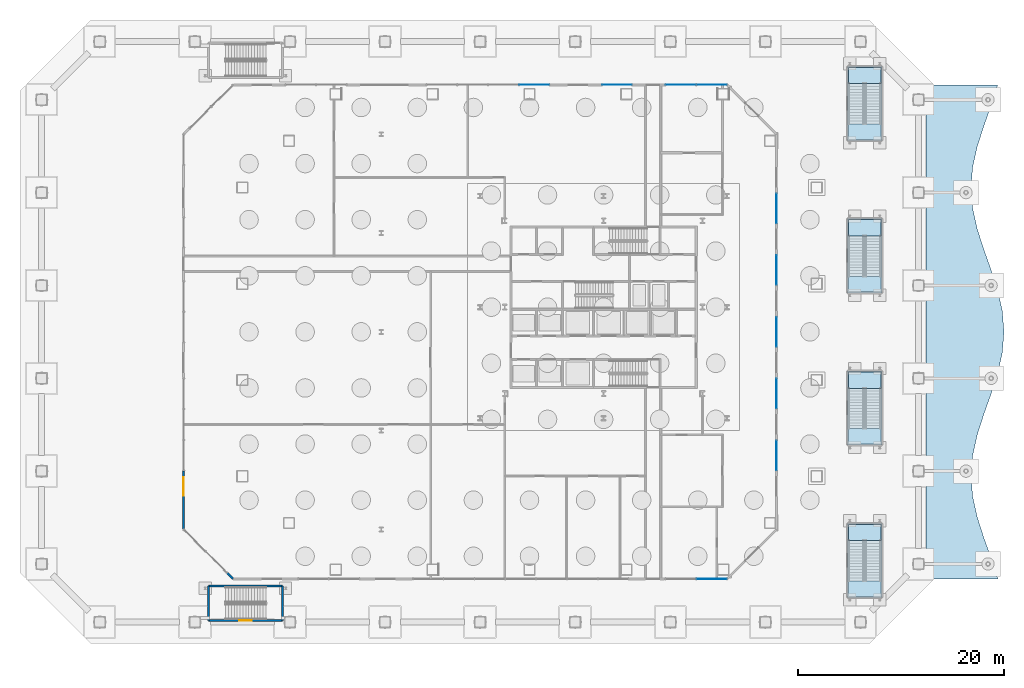
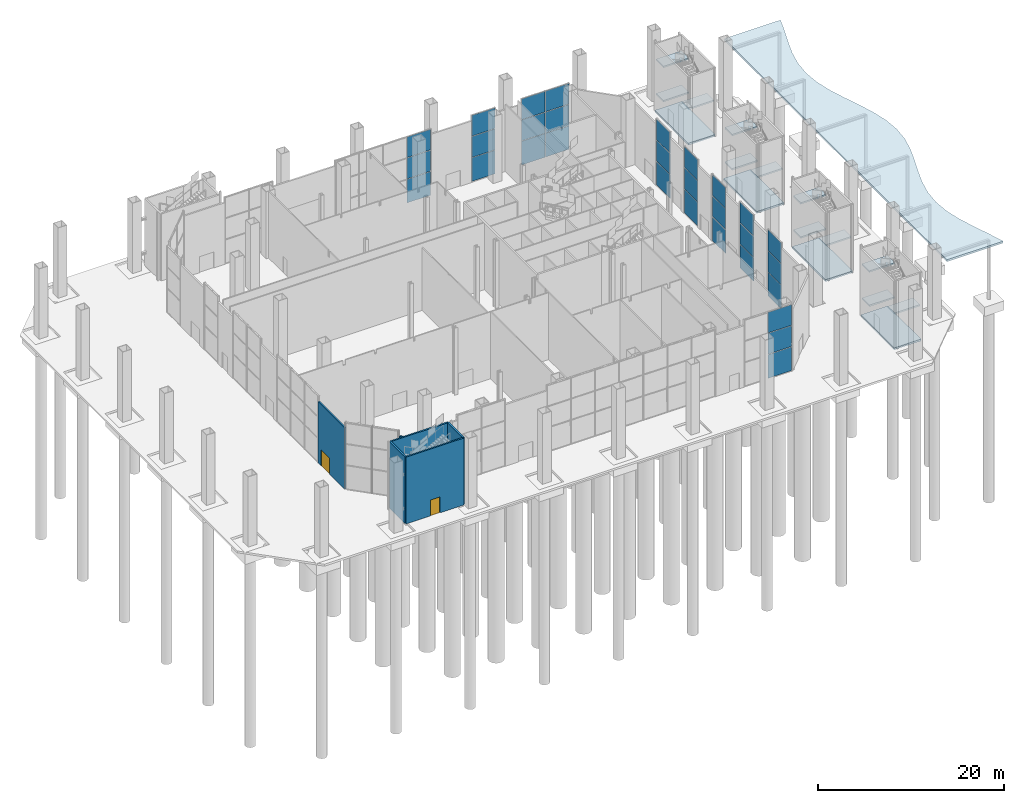
# One storey, part 22 of 38: 30 plates, 17 slabs, 6 walls, 2 doors, 2 openings, 13 elements without a shape of their own.
"""IFC4 building model written with IfcOpenShell, lengths in metres."""

import ifcopenshell
import ifcopenshell.guid

model = None  # the IFC model being written
_history = None  # IfcOwnerHistory: only IFC2X3 demands one
_inside = {}  # id of a spatial element -> (the spatial element, [elements in it])
_under = {}  # id of a project, library or spatial element -> (it, [spatial elements below it])
_declared = {}  # id of a project -> (the project, [libraries it declares])
_typed = {}  # id of a type object -> (the type object, [elements of that type])
_made_of = {}  # id of a material, layer set ... -> (it, [elements and type objects made of it])


def new_model(schema):
    """Start an empty IFC model of exactly this schema.

    Asked for "IFC4X3", IfcOpenShell would pick the latest addendum, in which some entities
    have other attributes; the version numbers below select the first issue.
    IFC2X3 requires an IfcOwnerHistory on every rooted entity: one is made here for all.
    """
    global model, _history
    if schema == "IFC4X3":
        model = ifcopenshell.file(schema_version=(4, 3, 0, 0))
    else:
        model = ifcopenshell.file(schema=schema)
    _inside.clear()
    _under.clear()
    _declared.clear()
    _typed.clear()
    _made_of.clear()
    _history = None
    if model.schema == "IFC2X3":
        org = make("IfcOrganization", Name="unknown")
        user = make(
            "IfcPersonAndOrganization",
            ThePerson=make("IfcPerson", FamilyName="unknown"),
            TheOrganization=org,
        )
        app = make(
            "IfcApplication",
            ApplicationDeveloper=org,
            Version="unknown",
            ApplicationFullName="unknown",
            ApplicationIdentifier="unknown",
        )
        _history = make(
            "IfcOwnerHistory",
            OwningUser=user,
            OwningApplication=app,
            ChangeAction="ADDED",
            CreationDate=0,
        )
    return model


def make(cls, **values):
    """One entity of the class cls with the attributes given. An attribute that is None is left unset."""
    return model.create_entity(
        cls, **{name: value for name, value in values.items() if value is not None}
    )


def rooted(cls, **values):
    """An entity with a GlobalId (a new one), such as an element, a storey or a relation."""
    return make(cls, GlobalId=ifcopenshell.guid.new(), OwnerHistory=_history, **values)


def si_unit(unit_type, name, prefix=None):
    """IfcSIUnit, for example si_unit("LENGTHUNIT", "METRE", prefix="MILLI")."""
    return make("IfcSIUnit", UnitType=unit_type, Prefix=prefix, Name=name)


def assignment(units):
    """IfcUnitAssignment: the units of a project."""
    return None if units is None else make("IfcUnitAssignment", Units=units)


def point(xyz):
    """IfcCartesianPoint."""
    return None if xyz is None else make("IfcCartesianPoint", Coordinates=xyz)


def direction(xyz):
    """IfcDirection."""
    return None if xyz is None else make("IfcDirection", DirectionRatios=xyz)


def frame(location, z_axis=None, x_axis=None):
    """IfcAxis2Placement3D, a coordinate frame: its origin and axes. An axis left out is left unset."""
    return make(
        "IfcAxis2Placement3D",
        Location=point(location),
        Axis=direction(z_axis),
        RefDirection=direction(x_axis),
    )


def frame_2d(location, x_axis=None):
    """IfcAxis2Placement2D, a coordinate frame in the plane: its origin and x axis."""
    return make(
        "IfcAxis2Placement2D", Location=point(location), RefDirection=direction(x_axis)
    )


def origin():
    """The frame at (0, 0, 0) with its axes left unset."""
    return frame((0.0, 0.0, 0.0))


def origin_2d():
    """The frame at (0, 0) in the plane with its x axis left unset."""
    return frame_2d((0.0, 0.0))


def place(relative_to, where):
    """IfcLocalPlacement: puts the frame where relative to a parent placement (None: the world)."""
    return make(
        "IfcLocalPlacement", PlacementRelTo=relative_to, RelativePlacement=where
    )


def context(
    kind, dimensions, precision=None, world=None, true_north=None, identifier=None
):
    """IfcGeometricRepresentationContext, for example the 3D "Model" context."""
    return make(
        "IfcGeometricRepresentationContext",
        ContextIdentifier=identifier,
        ContextType=kind,
        CoordinateSpaceDimension=dimensions,
        Precision=precision,
        WorldCoordinateSystem=world,
        TrueNorth=true_north,
    )


def subcontext(parent, identifier, kind, view, scale=None):
    """IfcGeometricRepresentationSubContext, for example "Body" below "Model"."""
    return make(
        "IfcGeometricRepresentationSubContext",
        ContextIdentifier=identifier,
        ContextType=kind,
        ParentContext=parent,
        TargetScale=scale,
        TargetView=view,
    )


def project(units=None, contexts=None):
    """IfcProject with its units and contexts."""
    return rooted(
        "IfcProject",
        Name="project",
        RepresentationContexts=contexts,
        UnitsInContext=assignment(units),
    )


def spatial(cls, under=None, at=None, **own):
    """A site, building, storey or space (cls), placed at a placement, below another one or the project."""
    s = rooted(cls, ObjectPlacement=at, **own)
    if under is not None:
        _under.setdefault(under.id(), (under, []))[1].append(s)
    return s


def polyline(points):
    """IfcPolyline through the points."""
    return make("IfcPolyline", Points=[point(p) for p in points])


def profile(cls, at=None, kind="AREA", **sizes):
    """A parametric profile (cls). Its sizes go by their IFC names, for example OverallWidth=200.0."""
    return make(cls, ProfileType=kind, Position=at, **sizes)


def rectangle(**sizes):
    """IfcRectangleProfileDef."""
    return profile("IfcRectangleProfileDef", **sizes)


def outline(outer, holes=None, kind="AREA"):
    """IfcArbitraryClosedProfileDef: a profile drawn as a closed curve; with holes, ...WithVoids."""
    if holes is None:
        return make("IfcArbitraryClosedProfileDef", ProfileType=kind, OuterCurve=outer)
    return make(
        "IfcArbitraryProfileDefWithVoids",
        ProfileType=kind,
        OuterCurve=outer,
        InnerCurves=holes,
    )


def extrude(swept, where, along, depth):
    """IfcExtrudedAreaSolid: the profile swept, set in the frame where, extruded along a direction by depth."""
    return make(
        "IfcExtrudedAreaSolid",
        SweptArea=swept,
        Position=where,
        ExtrudedDirection=direction(along),
        Depth=depth,
    )


def shape(context_of_items, identifier, shape_type, items):
    """IfcShapeRepresentation: the items that make up one representation, for example the "Body"."""
    return make(
        "IfcShapeRepresentation",
        ContextOfItems=context_of_items,
        RepresentationIdentifier=identifier,
        RepresentationType=shape_type,
        Items=items,
    )


def material(Name=None, Category=None):
    """IfcMaterial."""
    return make("IfcMaterial", Name=Name, Category=Category)


def layer(
    of_material, thickness, ventilated=None, Name=None, Category=None, Priority=None
):
    """IfcMaterialLayer: one layer of a wall or slab, of a material (None: an air gap)."""
    return make(
        "IfcMaterialLayer",
        Material=of_material,
        LayerThickness=thickness,
        IsVentilated=ventilated,
        Name=Name,
        Category=Category,
        Priority=Priority,
    )


def layer_set(layers, Name=None):
    """IfcMaterialLayerSet."""
    return make("IfcMaterialLayerSet", MaterialLayers=layers, LayerSetName=Name)


def made_of(thing, what):
    """Note that an element or type object is made of a material, layer set ...; save() writes the relation."""
    if what is not None:
        _made_of.setdefault(what.id(), (what, []))[1].append(thing)
    return thing


def type_object(cls, material=None, **own):
    """A type object (cls), such as IfcWallType, which elements share."""
    return made_of(rooted(cls, **own), material)


def element(
    cls,
    number,
    at=None,
    inside=None,
    cuts=None,
    type_object=None,
    material=None,
    context=None,
    identifier="Body",
    shape_type=None,
    held_by="IfcProductDefinitionShape",
    body=None,
    shapes=None,
    **own,
):
    """One element of the class cls, such as IfcWall. Its Tag is "e" and its number.

    at: its placement. inside: the storey or other place that contains it. cuts: it is an
    opening in that element (IfcRelVoidsElement). A single representation is given by context,
    identifier, shape_type and body (its items); several are given by shapes. held_by: the class
    of the entity that holds the representations. save() writes the other relations.
    """
    e = rooted(cls, Tag="e%d" % number, ObjectPlacement=at, **own)
    if body is not None:
        shapes = [shape(context, identifier, shape_type, body)]
    if shapes is not None:
        e.Representation = make(held_by, Representations=shapes)
    if inside is not None:
        _inside.setdefault(inside.id(), (inside, []))[1].append(e)
    if cuts is not None:
        rooted(
            "IfcRelVoidsElement", RelatingBuildingElement=cuts, RelatedOpeningElement=e
        )
    if type_object is not None:
        _typed.setdefault(type_object.id(), (type_object, []))[1].append(e)
    return made_of(e, material)


def fill(opening, filler):
    """IfcRelFillsElement: the door or window that sits in an opening."""
    return rooted(
        "IfcRelFillsElement",
        RelatingOpeningElement=opening,
        RelatedBuildingElement=filler,
    )


def aggregate(whole, parts):
    """IfcRelAggregates: a whole, such as a stair, and the parts it consists of."""
    return rooted("IfcRelAggregates", RelatingObject=whole, RelatedObjects=parts)


def save(model, path):
    """Write the relations noted so far, then the file.

    IfcRelAggregates (storeys below a building ...), IfcRelContainedInSpatialStructure (elements
    in a storey), IfcRelDefinesByType, IfcRelAssociatesMaterial and IfcRelDeclares: one each for
    every whole, place, type object, material and project.
    """
    for whole, parts in _under.values():
        aggregate(whole, parts)
    for where, things in _inside.values():
        rooted(
            "IfcRelContainedInSpatialStructure",
            RelatedElements=things,
            RelatingStructure=where,
        )
    for kind, things in _typed.values():
        rooted("IfcRelDefinesByType", RelatedObjects=things, RelatingType=kind)
    for what, things in _made_of.values():
        rooted("IfcRelAssociatesMaterial", RelatedObjects=things, RelatingMaterial=what)
    for by, libraries in _declared.values():
        rooted("IfcRelDeclares", RelatingContext=by, RelatedDefinitions=libraries)
    model.write(path)


model = new_model("IFC4")

# Units and contexts
model_context = context("Model", 3, precision=1e-05, world=origin(), true_north=direction((0.0, 1.0)))
body_context = subcontext(model_context, "Body", "Model", "MODEL_VIEW")
ifc_project = project(units=[si_unit("LENGTHUNIT", "METRE"), si_unit("AREAUNIT", "SQUARE_METRE"), si_unit("VOLUMEUNIT", "CUBIC_METRE"), si_unit("PLANEANGLEUNIT", "RADIAN"), si_unit("MASSUNIT", "GRAM", prefix="KILO")], contexts=[model_context])

# Site, building, storey
site_placement = place(None, origin())
site = spatial("IfcSite", under=ifc_project, at=site_placement, CompositionType="ELEMENT")
building_placement = place(site_placement, origin())
building = spatial("IfcBuilding", under=site, at=building_placement, Name="Cairn Pilgrim Tower", CompositionType="ELEMENT")
storey_placement = place(building_placement, origin())
storey = spatial("IfcBuildingStorey", under=building, at=storey_placement, Name="L00", CompositionType="ELEMENT", Elevation=0.0)

# Slab
ifc_material_1 = material(Name="Concrete C35/45", Category="concrete")
ifc_layer_1 = layer(ifc_material_1, 0.25)
ifc_layer_set_1 = layer_set([ifc_layer_1], Name="MARQUISE SLAB 250")
slab_type_1 = type_object("IfcSlabType", Name="MARQUISE SLAB 250", PredefinedType="ROOF", material=ifc_layer_set_1)
slab_1_placement = place(storey_placement, frame((0.0, 0.0, 7.60009765625)))
element("IfcSlab", 1, at=slab_1_placement, inside=storey, type_object=slab_type_1, Name="MARQUISE CANOPY", PredefinedType="ROOF", context=body_context, shape_type="SweptSolid", body=[
    extrude(outline(polyline([(38.5, -24.0), (45.498046875, -24.0), (44.85595703125, -22.0), (44.14404296875, -20.0), (43.501953125, -18.0), (43.05810546875, -16.0), (42.89990234375, -14.0), (43.05810546875, -12.0), (43.501953125, -10.0), (44.14404296875, -8.0), (44.85595703125, -6.0), (45.498046875, -4.0), (45.94189453125, -2.0), (46.10009765625, 0.0), (45.94189453125, 2.0), (45.498046875, 4.0), (44.85595703125, 6.0), (44.14404296875, 8.0), (43.501953125, 10.0), (43.05810546875, 12.0), (42.89990234375, 14.0), (43.05810546875, 16.0), (43.501953125, 18.0), (44.14404296875, 20.0), (44.85595703125, 22.0), (45.498046875, 24.0), (38.5, 24.0), (38.5, -24.0)])), origin(), (0.0, 0.0, 1.0), 0.25),
])

# Curtain wall, plates
ifc_material_2 = material(Name="Bronze anodised aluminium with Tinted laminated low-E glass", Category="aluminium")
curtain_wall_type = type_object("IfcCurtainWallType", Name="PAVILION CW", PredefinedType="NOTDEFINED", material=ifc_material_2)
curtain_wall_1_placement = place(storey_placement, origin())
curtain_wall_1 = element("IfcCurtainWall", 2, at=curtain_wall_1_placement, inside=storey, type_object=curtain_wall_type, Name="PAVILION CW 0.6", PredefinedType="NOTDEFINED")
ifc_material_3 = material(Name="Tinted laminated low-E glass", Category="glass")
ifc_layer_2 = layer(ifc_material_3, 0.028076171875)
ifc_layer_set_2 = layer_set([ifc_layer_2], Name="PAVILION GLASS PANEL 2940x2680")
plate_type_1 = type_object("IfcPlateType", Name="PAVILION GLASS PANEL 2940x2680", PredefinedType="CURTAIN_PANEL", material=ifc_layer_set_2)
plate_1_placement = place(storey_placement, frame((17.68505859375, -24.0, 3.22998046875), z_axis=(0.0, 0.0, 1.0), x_axis=(1.0, 0.0, 0.0)))
plate_1 = element("IfcPlate", 3, at=plate_1_placement, type_object=plate_type_1, Name="PCW-06 panel 2.2", PredefinedType="CURTAIN_PANEL", context=body_context, shape_type="SweptSolid", body=[
    extrude(rectangle(XDim=2.909912109375, YDim=0.028076171875, at=origin_2d()), origin(), (0.0, 0.0, 1.0), 2.739990234375),
])
plate_2_placement = place(storey_placement, frame((17.68505859375, -24.0, 6.030029296875), z_axis=(0.0, 0.0, 1.0), x_axis=(1.0, 0.0, 0.0)))
plate_2 = element("IfcPlate", 4, at=plate_2_placement, type_object=plate_type_1, Name="PCW-06 panel 2.3", PredefinedType="CURTAIN_PANEL", context=body_context, shape_type="SweptSolid", body=[
    extrude(rectangle(XDim=2.909912109375, YDim=0.028076171875, at=origin_2d()), origin(), (0.0, 0.0, 1.0), 2.7099609375),
])

curtain_wall_2_placement = place(storey_placement, origin())
curtain_wall_2 = element("IfcCurtainWall", 5, at=curtain_wall_2_placement, inside=storey, type_object=curtain_wall_type, Name="PAVILION CW 2.2", PredefinedType="NOTDEFINED")
plate_3_placement = place(storey_placement, frame((24.0, -12.0, 3.22998046875), z_axis=(0.0, 0.0, 1.0), x_axis=(0.0, 1.0, 0.0)))
plate_3 = element("IfcPlate", 6, at=plate_3_placement, type_object=plate_type_1, Name="PCW-22 panel 1.2", PredefinedType="CURTAIN_PANEL", context=body_context, shape_type="SweptSolid", body=[
    extrude(rectangle(XDim=2.8798828125, YDim=0.028076171875, at=origin_2d()), origin(), (0.0, 0.0, 1.0), 2.739990234375),
])
plate_4_placement = place(storey_placement, frame((24.0, -12.0, 6.030029296875), z_axis=(0.0, 0.0, 1.0), x_axis=(0.0, 1.0, 0.0)))
plate_4 = element("IfcPlate", 7, at=plate_4_placement, type_object=plate_type_1, Name="PCW-22 panel 1.3", PredefinedType="CURTAIN_PANEL", context=body_context, shape_type="SweptSolid", body=[
    extrude(rectangle(XDim=2.8798828125, YDim=0.028076171875, at=origin_2d()), origin(), (0.0, 0.0, 1.0), 2.7099609375),
])

curtain_wall_3_placement = place(storey_placement, origin())
curtain_wall_3 = element("IfcCurtainWall", 8, at=curtain_wall_3_placement, inside=storey, type_object=curtain_wall_type, Name="PAVILION CW 2.4", PredefinedType="NOTDEFINED")
plate_5_placement = place(storey_placement, frame((24.0, -6.0, 3.22998046875), z_axis=(0.0, 0.0, 1.0), x_axis=(0.0, 1.0, 0.0)))
plate_5 = element("IfcPlate", 9, at=plate_5_placement, type_object=plate_type_1, Name="PCW-24 panel 1.2", PredefinedType="CURTAIN_PANEL", context=body_context, shape_type="SweptSolid", body=[
    extrude(rectangle(XDim=2.8798828125, YDim=0.028076171875, at=origin_2d()), origin(), (0.0, 0.0, 1.0), 2.739990234375),
])
plate_6_placement = place(storey_placement, frame((24.0, -6.0, 6.030029296875), z_axis=(0.0, 0.0, 1.0), x_axis=(0.0, 1.0, 0.0)))
plate_6 = element("IfcPlate", 10, at=plate_6_placement, type_object=plate_type_1, Name="PCW-24 panel 1.3", PredefinedType="CURTAIN_PANEL", context=body_context, shape_type="SweptSolid", body=[
    extrude(rectangle(XDim=2.8798828125, YDim=0.028076171875, at=origin_2d()), origin(), (0.0, 0.0, 1.0), 2.7099609375),
])

curtain_wall_4_placement = place(storey_placement, origin())
curtain_wall_4 = element("IfcCurtainWall", 11, at=curtain_wall_4_placement, inside=storey, type_object=curtain_wall_type, Name="PAVILION CW 2.6", PredefinedType="NOTDEFINED")
plate_7_placement = place(storey_placement, frame((24.0, 0.0, 3.22998046875), z_axis=(0.0, 0.0, 1.0), x_axis=(0.0, 1.0, 0.0)))
plate_7 = element("IfcPlate", 12, at=plate_7_placement, type_object=plate_type_1, Name="PCW-26 panel 1.2", PredefinedType="CURTAIN_PANEL", context=body_context, shape_type="SweptSolid", body=[
    extrude(rectangle(XDim=2.8798828125, YDim=0.028076171875, at=origin_2d()), origin(), (0.0, 0.0, 1.0), 2.739990234375),
])
plate_8_placement = place(storey_placement, frame((24.0, 0.0, 6.030029296875), z_axis=(0.0, 0.0, 1.0), x_axis=(0.0, 1.0, 0.0)))
plate_8 = element("IfcPlate", 13, at=plate_8_placement, type_object=plate_type_1, Name="PCW-26 panel 1.3", PredefinedType="CURTAIN_PANEL", context=body_context, shape_type="SweptSolid", body=[
    extrude(rectangle(XDim=2.8798828125, YDim=0.028076171875, at=origin_2d()), origin(), (0.0, 0.0, 1.0), 2.7099609375),
])

curtain_wall_5_placement = place(storey_placement, origin())
curtain_wall_5 = element("IfcCurtainWall", 14, at=curtain_wall_5_placement, inside=storey, type_object=curtain_wall_type, Name="PAVILION CW 2.8", PredefinedType="NOTDEFINED")
plate_9_placement = place(storey_placement, frame((24.0, 6.0, 3.22998046875), z_axis=(0.0, 0.0, 1.0), x_axis=(0.0, 1.0, 0.0)))
plate_9 = element("IfcPlate", 15, at=plate_9_placement, type_object=plate_type_1, Name="PCW-28 panel 1.2", PredefinedType="CURTAIN_PANEL", context=body_context, shape_type="SweptSolid", body=[
    extrude(rectangle(XDim=2.8798828125, YDim=0.028076171875, at=origin_2d()), origin(), (0.0, 0.0, 1.0), 2.739990234375),
])
plate_10_placement = place(storey_placement, frame((24.0, 6.0, 6.030029296875), z_axis=(0.0, 0.0, 1.0), x_axis=(0.0, 1.0, 0.0)))
plate_10 = element("IfcPlate", 16, at=plate_10_placement, type_object=plate_type_1, Name="PCW-28 panel 1.3", PredefinedType="CURTAIN_PANEL", context=body_context, shape_type="SweptSolid", body=[
    extrude(rectangle(XDim=2.8798828125, YDim=0.028076171875, at=origin_2d()), origin(), (0.0, 0.0, 1.0), 2.7099609375),
])

curtain_wall_6_placement = place(storey_placement, origin())
curtain_wall_6 = element("IfcCurtainWall", 17, at=curtain_wall_6_placement, inside=storey, type_object=curtain_wall_type, Name="PAVILION CW 2.10", PredefinedType="NOTDEFINED")
plate_11_placement = place(storey_placement, frame((24.0, 12.0, 3.22998046875), z_axis=(0.0, 0.0, 1.0), x_axis=(0.0, 1.0, 0.0)))
plate_11 = element("IfcPlate", 18, at=plate_11_placement, type_object=plate_type_1, Name="PCW-210 panel 1.2", PredefinedType="CURTAIN_PANEL", context=body_context, shape_type="SweptSolid", body=[
    extrude(rectangle(XDim=2.8798828125, YDim=0.028076171875, at=origin_2d()), origin(), (0.0, 0.0, 1.0), 2.739990234375),
])
plate_12_placement = place(storey_placement, frame((24.0, 12.0, 6.030029296875), z_axis=(0.0, 0.0, 1.0), x_axis=(0.0, 1.0, 0.0)))
plate_12 = element("IfcPlate", 19, at=plate_12_placement, type_object=plate_type_1, Name="PCW-210 panel 1.3", PredefinedType="CURTAIN_PANEL", context=body_context, shape_type="SweptSolid", body=[
    extrude(rectangle(XDim=2.8798828125, YDim=0.028076171875, at=origin_2d()), origin(), (0.0, 0.0, 1.0), 2.7099609375),
])

curtain_wall_7_placement = place(storey_placement, origin())
curtain_wall_7 = element("IfcCurtainWall", 20, at=curtain_wall_7_placement, inside=storey, type_object=curtain_wall_type, Name="PAVILION CW 4.1", PredefinedType="NOTDEFINED")
plate_13_placement = place(storey_placement, frame((17.68505859375, 24.0, 3.22998046875), z_axis=(0.0, 0.0, 1.0), x_axis=(-1.0, 0.0, 0.0)))
plate_13 = element("IfcPlate", 21, at=plate_13_placement, type_object=plate_type_1, Name="PCW-41 panel 1.2", PredefinedType="CURTAIN_PANEL", context=body_context, shape_type="SweptSolid", body=[
    extrude(rectangle(XDim=2.909912109375, YDim=0.028076171875, at=origin_2d()), origin(), (0.0, 0.0, 1.0), 2.739990234375),
])
plate_14_placement = place(storey_placement, frame((17.68505859375, 24.0, 6.030029296875), z_axis=(0.0, 0.0, 1.0), x_axis=(-1.0, 0.0, 0.0)))
plate_14 = element("IfcPlate", 22, at=plate_14_placement, type_object=plate_type_1, Name="PCW-41 panel 1.3", PredefinedType="CURTAIN_PANEL", context=body_context, shape_type="SweptSolid", body=[
    extrude(rectangle(XDim=2.909912109375, YDim=0.028076171875, at=origin_2d()), origin(), (0.0, 0.0, 1.0), 2.7099609375),
])
plate_15_placement = place(storey_placement, frame((14.715087890625, 24.0, 3.22998046875), z_axis=(0.0, 0.0, 1.0), x_axis=(-1.0, 0.0, 0.0)))
plate_15 = element("IfcPlate", 23, at=plate_15_placement, type_object=plate_type_1, Name="PCW-41 panel 2.2", PredefinedType="CURTAIN_PANEL", context=body_context, shape_type="SweptSolid", body=[
    extrude(rectangle(XDim=2.909912109375, YDim=0.028076171875, at=origin_2d()), origin(), (0.0, 0.0, 1.0), 2.739990234375),
])
plate_16_placement = place(storey_placement, frame((14.715087890625, 24.0, 6.030029296875), z_axis=(0.0, 0.0, 1.0), x_axis=(-1.0, 0.0, 0.0)))
plate_16 = element("IfcPlate", 24, at=plate_16_placement, type_object=plate_type_1, Name="PCW-41 panel 2.3", PredefinedType="CURTAIN_PANEL", context=body_context, shape_type="SweptSolid", body=[
    extrude(rectangle(XDim=2.909912109375, YDim=0.028076171875, at=origin_2d()), origin(), (0.0, 0.0, 1.0), 2.7099609375),
])

curtain_wall_8_placement = place(storey_placement, origin())
curtain_wall_8 = element("IfcCurtainWall", 25, at=curtain_wall_8_placement, inside=storey, type_object=curtain_wall_type, Name="PAVILION CW 4.3", PredefinedType="NOTDEFINED")
plate_17_placement = place(storey_placement, frame((8.5, 24.0, 3.22998046875), z_axis=(0.0, 0.0, 1.0), x_axis=(-1.0, 0.0, 0.0)))
plate_17 = element("IfcPlate", 26, at=plate_17_placement, type_object=plate_type_1, Name="PCW-43 panel 1.2", PredefinedType="CURTAIN_PANEL", context=body_context, shape_type="SweptSolid", body=[
    extrude(rectangle(XDim=2.8798828125, YDim=0.028076171875, at=origin_2d()), origin(), (0.0, 0.0, 1.0), 2.739990234375),
])
plate_18_placement = place(storey_placement, frame((8.5, 24.0, 6.030029296875), z_axis=(0.0, 0.0, 1.0), x_axis=(-1.0, 0.0, 0.0)))
plate_18 = element("IfcPlate", 27, at=plate_18_placement, type_object=plate_type_1, Name="PCW-43 panel 1.3", PredefinedType="CURTAIN_PANEL", context=body_context, shape_type="SweptSolid", body=[
    extrude(rectangle(XDim=2.8798828125, YDim=0.028076171875, at=origin_2d()), origin(), (0.0, 0.0, 1.0), 2.7099609375),
])

curtain_wall_9_placement = place(storey_placement, origin())
curtain_wall_9 = element("IfcCurtainWall", 28, at=curtain_wall_9_placement, inside=storey, type_object=curtain_wall_type, Name="PAVILION CW 4.5", PredefinedType="NOTDEFINED")
plate_19_placement = place(storey_placement, frame((0.4599609375, 24.0, 3.22998046875), z_axis=(0.0, 0.0, 1.0), x_axis=(-1.0, 0.0, 0.0)))
plate_19 = element("IfcPlate", 29, at=plate_19_placement, type_object=plate_type_1, Name="PCW-45 panel 1.2", PredefinedType="CURTAIN_PANEL", context=body_context, shape_type="SweptSolid", body=[
    extrude(rectangle(XDim=2.909912109375, YDim=0.028076171875, at=origin_2d()), origin(), (0.0, 0.0, 1.0), 2.739990234375),
])
plate_20_placement = place(storey_placement, frame((0.4599609375, 24.0, 6.030029296875), z_axis=(0.0, 0.0, 1.0), x_axis=(-1.0, 0.0, 0.0)))
plate_20 = element("IfcPlate", 30, at=plate_20_placement, type_object=plate_type_1, Name="PCW-45 panel 1.3", PredefinedType="CURTAIN_PANEL", context=body_context, shape_type="SweptSolid", body=[
    extrude(rectangle(XDim=2.909912109375, YDim=0.028076171875, at=origin_2d()), origin(), (0.0, 0.0, 1.0), 2.7099609375),
])

# Plate
ifc_layer_3 = layer(ifc_material_3, 0.028076171875)
ifc_layer_set_3 = layer_set([ifc_layer_3], Name="PAVILION GLASS PANEL 2940x3020")
plate_type_2 = type_object("IfcPlateType", Name="PAVILION GLASS PANEL 2940x3020", PredefinedType="CURTAIN_PANEL", material=ifc_layer_set_3)
plate_21_placement = place(storey_placement, frame((17.68505859375, -24.0, 0.06005859375), z_axis=(0.0, 0.0, 1.0), x_axis=(1.0, 0.0, 0.0)))
plate_21 = element("IfcPlate", 31, at=plate_21_placement, type_object=plate_type_2, Name="PCW-06 panel 2.1", PredefinedType="CURTAIN_PANEL", context=body_context, shape_type="SweptSolid", body=[
    extrude(rectangle(XDim=2.909912109375, YDim=0.028076171875, at=origin_2d()), origin(), (0.0, 0.0, 1.0), 3.110107421875),
])

aggregate(curtain_wall_1, [plate_21, plate_1, plate_2])

plate_22_placement = place(storey_placement, frame((24.0, -12.0, 0.06005859375), z_axis=(0.0, 0.0, 1.0), x_axis=(0.0, 1.0, 0.0)))
plate_22 = element("IfcPlate", 32, at=plate_22_placement, type_object=plate_type_2, Name="PCW-22 panel 1.1", PredefinedType="CURTAIN_PANEL", context=body_context, shape_type="SweptSolid", body=[
    extrude(rectangle(XDim=2.8798828125, YDim=0.028076171875, at=origin_2d()), origin(), (0.0, 0.0, 1.0), 3.110107421875),
])

aggregate(curtain_wall_2, [plate_22, plate_3, plate_4])

plate_23_placement = place(storey_placement, frame((24.0, -6.0, 0.06005859375), z_axis=(0.0, 0.0, 1.0), x_axis=(0.0, 1.0, 0.0)))
plate_23 = element("IfcPlate", 33, at=plate_23_placement, type_object=plate_type_2, Name="PCW-24 panel 1.1", PredefinedType="CURTAIN_PANEL", context=body_context, shape_type="SweptSolid", body=[
    extrude(rectangle(XDim=2.8798828125, YDim=0.028076171875, at=origin_2d()), origin(), (0.0, 0.0, 1.0), 3.110107421875),
])

aggregate(curtain_wall_3, [plate_23, plate_5, plate_6])

plate_24_placement = place(storey_placement, frame((24.0, 0.0, 0.06005859375), z_axis=(0.0, 0.0, 1.0), x_axis=(0.0, 1.0, 0.0)))
plate_24 = element("IfcPlate", 34, at=plate_24_placement, type_object=plate_type_2, Name="PCW-26 panel 1.1", PredefinedType="CURTAIN_PANEL", context=body_context, shape_type="SweptSolid", body=[
    extrude(rectangle(XDim=2.8798828125, YDim=0.028076171875, at=origin_2d()), origin(), (0.0, 0.0, 1.0), 3.110107421875),
])

aggregate(curtain_wall_4, [plate_24, plate_7, plate_8])

plate_25_placement = place(storey_placement, frame((24.0, 6.0, 0.06005859375), z_axis=(0.0, 0.0, 1.0), x_axis=(0.0, 1.0, 0.0)))
plate_25 = element("IfcPlate", 35, at=plate_25_placement, type_object=plate_type_2, Name="PCW-28 panel 1.1", PredefinedType="CURTAIN_PANEL", context=body_context, shape_type="SweptSolid", body=[
    extrude(rectangle(XDim=2.8798828125, YDim=0.028076171875, at=origin_2d()), origin(), (0.0, 0.0, 1.0), 3.110107421875),
])

aggregate(curtain_wall_5, [plate_25, plate_9, plate_10])

plate_26_placement = place(storey_placement, frame((24.0, 12.0, 0.06005859375), z_axis=(0.0, 0.0, 1.0), x_axis=(0.0, 1.0, 0.0)))
plate_26 = element("IfcPlate", 36, at=plate_26_placement, type_object=plate_type_2, Name="PCW-210 panel 1.1", PredefinedType="CURTAIN_PANEL", context=body_context, shape_type="SweptSolid", body=[
    extrude(rectangle(XDim=2.8798828125, YDim=0.028076171875, at=origin_2d()), origin(), (0.0, 0.0, 1.0), 3.110107421875),
])

aggregate(curtain_wall_6, [plate_26, plate_11, plate_12])

plate_27_placement = place(storey_placement, frame((17.68505859375, 24.0, 0.06005859375), z_axis=(0.0, 0.0, 1.0), x_axis=(-1.0, 0.0, 0.0)))
plate_27 = element("IfcPlate", 37, at=plate_27_placement, type_object=plate_type_2, Name="PCW-41 panel 1.1", PredefinedType="CURTAIN_PANEL", context=body_context, shape_type="SweptSolid", body=[
    extrude(rectangle(XDim=2.909912109375, YDim=0.028076171875, at=origin_2d()), origin(), (0.0, 0.0, 1.0), 3.110107421875),
])

plate_28_placement = place(storey_placement, frame((14.715087890625, 24.0, 0.06005859375), z_axis=(0.0, 0.0, 1.0), x_axis=(-1.0, 0.0, 0.0)))
plate_28 = element("IfcPlate", 38, at=plate_28_placement, type_object=plate_type_2, Name="PCW-41 panel 2.1", PredefinedType="CURTAIN_PANEL", context=body_context, shape_type="SweptSolid", body=[
    extrude(rectangle(XDim=2.909912109375, YDim=0.028076171875, at=origin_2d()), origin(), (0.0, 0.0, 1.0), 3.110107421875),
])

aggregate(curtain_wall_7, [plate_27, plate_13, plate_14, plate_28, plate_15, plate_16])

plate_29_placement = place(storey_placement, frame((8.5, 24.0, 0.06005859375), z_axis=(0.0, 0.0, 1.0), x_axis=(-1.0, 0.0, 0.0)))
plate_29 = element("IfcPlate", 39, at=plate_29_placement, type_object=plate_type_2, Name="PCW-43 panel 1.1", PredefinedType="CURTAIN_PANEL", context=body_context, shape_type="SweptSolid", body=[
    extrude(rectangle(XDim=2.8798828125, YDim=0.028076171875, at=origin_2d()), origin(), (0.0, 0.0, 1.0), 3.110107421875),
])

aggregate(curtain_wall_8, [plate_29, plate_17, plate_18])

plate_30_placement = place(storey_placement, frame((0.4599609375, 24.0, 0.06005859375), z_axis=(0.0, 0.0, 1.0), x_axis=(-1.0, 0.0, 0.0)))
plate_30 = element("IfcPlate", 40, at=plate_30_placement, type_object=plate_type_2, Name="PCW-45 panel 1.1", PredefinedType="CURTAIN_PANEL", context=body_context, shape_type="SweptSolid", body=[
    extrude(rectangle(XDim=2.909912109375, YDim=0.028076171875, at=origin_2d()), origin(), (0.0, 0.0, 1.0), 3.110107421875),
])

aggregate(curtain_wall_9, [plate_30, plate_19, plate_20])

# Stair, slabs
stair_type = type_object("IfcStairType", Name="PODIUM EXIT STAIR 1500", PredefinedType="HALF_TURN_STAIR", material=ifc_material_1)
stair_1_placement = place(storey_placement, origin())
stair_1 = element("IfcStair", 41, at=stair_1_placement, inside=storey, type_object=stair_type, Name="L00 Exit Stair Es1", PredefinedType="HALF_TURN_STAIR")
ifc_layer_4 = layer(ifc_material_1, 0.199951171875)
ifc_layer_set_4 = layer_set([ifc_layer_4], Name="PODIUM STAIR LANDING 200")
slab_type_2 = type_object("IfcSlabType", Name="PODIUM STAIR LANDING 200", PredefinedType="LANDING", material=ifc_layer_set_4)
slab_2_placement = place(storey_placement, frame((0.0, 0.0, 2.050048828125)))
slab_2 = element("IfcSlab", 42, at=slab_2_placement, type_object=slab_type_2, Name="ST-ES1 landing 1", PredefinedType="LANDING", context=body_context, shape_type="SweptSolid", body=[
    extrude(outline(polyline([(34.14990234375, -20.280029296875), (34.14990234375, -18.699951171875), (31.0, -18.699951171875), (31.0, -20.280029296875), (34.14990234375, -20.280029296875)])), origin(), (0.0, 0.0, 1.0), 0.199951171875),
])
slab_3_placement = place(storey_placement, frame((0.0, 0.0, 4.300048828125)))
slab_3 = element("IfcSlab", 43, at=slab_3_placement, type_object=slab_type_2, Name="ST-ES1 landing 2", PredefinedType="LANDING", context=body_context, shape_type="SweptSolid", body=[
    extrude(outline(polyline([(34.14990234375, -25.699951171875), (34.14990234375, -24.199951171875), (31.0, -24.199951171875), (31.0, -25.699951171875), (34.14990234375, -25.699951171875)])), origin(), (0.0, 0.0, 1.0), 0.199951171875),
])
slab_4_placement = place(storey_placement, frame((0.0, 0.0, 6.550048828125)))
slab_4 = element("IfcSlab", 44, at=slab_4_placement, type_object=slab_type_2, Name="ST-ES1 landing 3", PredefinedType="LANDING", context=body_context, shape_type="SweptSolid", body=[
    extrude(outline(polyline([(34.14990234375, -20.280029296875), (34.14990234375, -18.699951171875), (31.0, -18.699951171875), (31.0, -20.280029296875), (34.14990234375, -20.280029296875)])), origin(), (0.0, 0.0, 1.0), 0.199951171875),
])
aggregate(stair_1, [slab_2, slab_3, slab_4])

stair_2_placement = place(storey_placement, origin())
stair_2 = element("IfcStair", 45, at=stair_2_placement, inside=storey, type_object=stair_type, Name="L00 Exit Stair Es2", PredefinedType="HALF_TURN_STAIR")
slab_5_placement = place(storey_placement, frame((0.0, 0.0, 2.050048828125)))
slab_5 = element("IfcSlab", 46, at=slab_5_placement, type_object=slab_type_2, Name="ST-ES2 landing 1", PredefinedType="LANDING", context=body_context, shape_type="SweptSolid", body=[
    extrude(outline(polyline([(34.14990234375, -5.47998046875), (34.14990234375, -3.89990234375), (31.0, -3.89990234375), (31.0, -5.47998046875), (34.14990234375, -5.47998046875)])), origin(), (0.0, 0.0, 1.0), 0.199951171875),
])
slab_6_placement = place(storey_placement, frame((0.0, 0.0, 4.300048828125)))
slab_6 = element("IfcSlab", 47, at=slab_6_placement, type_object=slab_type_2, Name="ST-ES2 landing 2", PredefinedType="LANDING", context=body_context, shape_type="SweptSolid", body=[
    extrude(outline(polyline([(34.14990234375, -10.89990234375), (34.14990234375, -9.39990234375), (31.0, -9.39990234375), (31.0, -10.89990234375), (34.14990234375, -10.89990234375)])), origin(), (0.0, 0.0, 1.0), 0.199951171875),
])
slab_7_placement = place(storey_placement, frame((0.0, 0.0, 6.550048828125)))
slab_7 = element("IfcSlab", 48, at=slab_7_placement, type_object=slab_type_2, Name="ST-ES2 landing 3", PredefinedType="LANDING", context=body_context, shape_type="SweptSolid", body=[
    extrude(outline(polyline([(34.14990234375, -5.47998046875), (34.14990234375, -3.89990234375), (31.0, -3.89990234375), (31.0, -5.47998046875), (34.14990234375, -5.47998046875)])), origin(), (0.0, 0.0, 1.0), 0.199951171875),
])
aggregate(stair_2, [slab_5, slab_6, slab_7])

stair_3_placement = place(storey_placement, origin())
stair_3 = element("IfcStair", 49, at=stair_3_placement, inside=storey, type_object=stair_type, Name="L00 Exit Stair Es3", PredefinedType="HALF_TURN_STAIR")
slab_8_placement = place(storey_placement, frame((0.0, 0.0, 2.050048828125)))
slab_8 = element("IfcSlab", 50, at=slab_8_placement, type_object=slab_type_2, Name="ST-ES3 landing 1", PredefinedType="LANDING", context=body_context, shape_type="SweptSolid", body=[
    extrude(outline(polyline([(34.14990234375, 9.320068359375), (34.14990234375, 10.89990234375), (31.0, 10.89990234375), (31.0, 9.320068359375), (34.14990234375, 9.320068359375)])), origin(), (0.0, 0.0, 1.0), 0.199951171875),
])
slab_9_placement = place(storey_placement, frame((0.0, 0.0, 4.300048828125)))
slab_9 = element("IfcSlab", 51, at=slab_9_placement, type_object=slab_type_2, Name="ST-ES3 landing 2", PredefinedType="LANDING", context=body_context, shape_type="SweptSolid", body=[
    extrude(outline(polyline([(34.14990234375, 3.89990234375), (34.14990234375, 5.39990234375), (31.0, 5.39990234375), (31.0, 3.89990234375), (34.14990234375, 3.89990234375)])), origin(), (0.0, 0.0, 1.0), 0.199951171875),
])
slab_10_placement = place(storey_placement, frame((0.0, 0.0, 6.550048828125)))
slab_10 = element("IfcSlab", 52, at=slab_10_placement, type_object=slab_type_2, Name="ST-ES3 landing 3", PredefinedType="LANDING", context=body_context, shape_type="SweptSolid", body=[
    extrude(outline(polyline([(34.14990234375, 9.320068359375), (34.14990234375, 10.89990234375), (31.0, 10.89990234375), (31.0, 9.320068359375), (34.14990234375, 9.320068359375)])), origin(), (0.0, 0.0, 1.0), 0.199951171875),
])
aggregate(stair_3, [slab_8, slab_9, slab_10])

stair_4_placement = place(storey_placement, origin())
stair_4 = element("IfcStair", 53, at=stair_4_placement, inside=storey, type_object=stair_type, Name="L00 Exit Stair Es4", PredefinedType="HALF_TURN_STAIR")
slab_11_placement = place(storey_placement, frame((0.0, 0.0, 2.050048828125)))
slab_11 = element("IfcSlab", 54, at=slab_11_placement, type_object=slab_type_2, Name="ST-ES4 landing 1", PredefinedType="LANDING", context=body_context, shape_type="SweptSolid", body=[
    extrude(outline(polyline([(34.14990234375, 24.1201171875), (34.14990234375, 25.699951171875), (31.0, 25.699951171875), (31.0, 24.1201171875), (34.14990234375, 24.1201171875)])), origin(), (0.0, 0.0, 1.0), 0.199951171875),
])
slab_12_placement = place(storey_placement, frame((0.0, 0.0, 4.300048828125)))
slab_12 = element("IfcSlab", 55, at=slab_12_placement, type_object=slab_type_2, Name="ST-ES4 landing 2", PredefinedType="LANDING", context=body_context, shape_type="SweptSolid", body=[
    extrude(outline(polyline([(34.14990234375, 18.699951171875), (34.14990234375, 20.199951171875), (31.0, 20.199951171875), (31.0, 18.699951171875), (34.14990234375, 18.699951171875)])), origin(), (0.0, 0.0, 1.0), 0.199951171875),
])
slab_13_placement = place(storey_placement, frame((0.0, 0.0, 6.550048828125)))
slab_13 = element("IfcSlab", 56, at=slab_13_placement, type_object=slab_type_2, Name="ST-ES4 landing 3", PredefinedType="LANDING", context=body_context, shape_type="SweptSolid", body=[
    extrude(outline(polyline([(34.14990234375, 24.1201171875), (34.14990234375, 25.699951171875), (31.0, 25.699951171875), (31.0, 24.1201171875), (34.14990234375, 24.1201171875)])), origin(), (0.0, 0.0, 1.0), 0.199951171875),
])
aggregate(stair_4, [slab_11, slab_12, slab_13])

# Slabs
ifc_material_4 = material(Name="Concrete C32/40", Category="concrete")
ifc_layer_5 = layer(ifc_material_4, 0.25)
ifc_layer_set_5 = layer_set([ifc_layer_5], Name="STAIR GROUND SLAB 250")
slab_type_3 = type_object("IfcSlabType", Name="STAIR GROUND SLAB 250", PredefinedType="BASESLAB", material=ifc_layer_set_5)
slab_14_placement = place(storey_placement, frame((0.0, 0.0, -0.25)))
element("IfcSlab", 57, at=slab_14_placement, inside=storey, type_object=slab_type_3, Name="ES1 STAIR GROUND SLAB", PredefinedType="BASESLAB", context=body_context, shape_type="SweptSolid", body=[
    extrude(outline(polyline([(30.89990234375, -25.800048828125), (34.25, -25.800048828125), (34.25, -18.60009765625), (30.89990234375, -18.60009765625), (30.89990234375, -25.800048828125)])), origin(), (0.0, 0.0, 1.0), 0.25),
])
slab_15_placement = place(storey_placement, frame((0.0, 0.0, -0.25)))
element("IfcSlab", 58, at=slab_15_placement, inside=storey, type_object=slab_type_3, Name="ES2 STAIR GROUND SLAB", PredefinedType="BASESLAB", context=body_context, shape_type="SweptSolid", body=[
    extrude(outline(polyline([(30.89990234375, -11.0), (34.25, -11.0), (34.25, -3.800048828125), (30.89990234375, -3.800048828125), (30.89990234375, -11.0)])), origin(), (0.0, 0.0, 1.0), 0.25),
])
slab_16_placement = place(storey_placement, frame((0.0, 0.0, -0.25)))
element("IfcSlab", 59, at=slab_16_placement, inside=storey, type_object=slab_type_3, Name="ES3 STAIR GROUND SLAB", PredefinedType="BASESLAB", context=body_context, shape_type="SweptSolid", body=[
    extrude(outline(polyline([(30.89990234375, 3.800048828125), (34.25, 3.800048828125), (34.25, 11.0), (30.89990234375, 11.0), (30.89990234375, 3.800048828125)])), origin(), (0.0, 0.0, 1.0), 0.25),
])
slab_17_placement = place(storey_placement, frame((0.0, 0.0, -0.25)))
element("IfcSlab", 60, at=slab_17_placement, inside=storey, type_object=slab_type_3, Name="ES4 STAIR GROUND SLAB", PredefinedType="BASESLAB", context=body_context, shape_type="SweptSolid", body=[
    extrude(outline(polyline([(30.89990234375, 18.60009765625), (34.25, 18.60009765625), (34.25, 25.800048828125), (30.89990234375, 25.800048828125), (30.89990234375, 18.60009765625)])), origin(), (0.0, 0.0, 1.0), 0.25),
])

# Wall, opening, door
ifc_material_5 = material(Name="Concrete C35/45 backup wall with bronze aluminium cladding", Category="concrete")
ifc_layer_6 = layer(ifc_material_5, 0.199951171875)
ifc_layer_set_6 = layer_set([ifc_layer_6], Name="ENTRANCE PORTAL WALL 200 BRONZE-CLAD")
wall_type_1 = type_object("IfcWallType", Name="ENTRANCE PORTAL WALL 200 BRONZE-CLAD", PredefinedType="SOLIDWALL", material=ifc_layer_set_6)
wall_1_placement = place(storey_placement, frame((-33.60009765625, -19.199951171875, 0.0), z_axis=(0.0, 0.0, 1.0), x_axis=(0.0, 1.0, 0.0)))
wall_1 = element("IfcWall", 61, at=wall_1_placement, inside=storey, type_object=wall_type_1, Name="ENTRANCE PORTAL 6.8", PredefinedType="SOLIDWALL", context=body_context, shape_type="SweptSolid", body=[
    extrude(rectangle(XDim=5.699951171875, YDim=0.199951171875, at=frame_2d((2.85009765625, 0.0))), origin(), (0.0, 0.0, 1.0), 8.10009765625),
])
opening_1_placement = place(wall_1_placement, frame((3.300048828125, 0.0, 0.0)))
opening_1 = element("IfcOpeningElement", 62, at=opening_1_placement, cuts=wall_1, Name="Opening X68", PredefinedType="OPENING", context=body_context, shape_type="SweptSolid", body=[
    extrude(rectangle(XDim=1.800048828125, YDim=2.10009765625, at=frame_2d((0.89990234375, 1.050048828125))), frame((0.0, 0.10986328125, 0.0), z_axis=(0.0, -1.0, 0.0), x_axis=(1.0, 0.0, 0.0)), (0.0, 0.0, 1.0), 0.219970703125),
])
ifc_material_6 = material(Name="Bronze anodised aluminium frame with tinted toughened glass", Category="aluminium")
door_type_1 = type_object("IfcDoorType", Name="PAVILION EXIT DOOR PAIR 1800x2100", OperationType="DOUBLE_DOOR_SINGLE_SWING", PredefinedType="DOOR", material=ifc_material_6)
door_1_placement = place(opening_1_placement, origin())
door_1 = element("IfcDoor", 63, at=door_1_placement, inside=storey, type_object=door_type_1, Name="PAVILION EXIT DOOR", OperationType="SINGLE_SWING_LEFT", OverallHeight=2.10009765625, OverallWidth=1.800048828125, PredefinedType="DOOR", context=body_context, shape_type="SweptSolid", body=[
    extrude(rectangle(XDim=1.800048828125, YDim=2.10009765625, at=frame_2d((0.89990234375, 1.050048828125))), frame((0.0, 0.02490234375, 0.0), z_axis=(0.0, -1.0, 0.0), x_axis=(1.0, 0.0, 0.0)), (0.0, 0.0, 1.0), 0.050048828125),
])
fill(opening_1, door_1)

# Walls
wall_2_placement = place(storey_placement, frame((-28.800048828125, -24.0, 0.0), z_axis=(0.0, 0.0, 1.0), x_axis=(-0.707106781187, 0.707106781187, 0.0)))
element("IfcWall", 64, at=wall_2_placement, inside=storey, type_object=wall_type_1, Name="PAVILION CORNER PANEL WALL 7.2", PredefinedType="SOLIDWALL", context=body_context, shape_type="SweptSolid", body=[
    extrude(rectangle(XDim=0.788330078125, YDim=0.199951171875, at=frame_2d((0.39404296875, 0.0))), origin(), (0.0, 0.0, 1.0), 8.10009765625),
])
ifc_layer_7 = layer(ifc_material_1, 0.199951171875)
ifc_layer_set_7 = layer_set([ifc_layer_7], Name="PODIUM STAIR WALL 200 EI 120")
wall_type_2 = type_object("IfcWallType", Name="PODIUM STAIR WALL 200 EI 120", PredefinedType="SOLIDWALL", material=ifc_layer_set_7)
wall_3_placement = place(storey_placement, frame((-31.199951171875, -28.050048828125, 0.0), z_axis=(0.0, 0.0, 1.0), x_axis=(0.0, 1.0, 0.0)))
element("IfcWall", 65, at=wall_3_placement, inside=storey, type_object=wall_type_2, Name="HS STAIR WALL W", PredefinedType="SOLIDWALL", context=body_context, shape_type="SweptSolid", body=[
    extrude(rectangle(XDim=3.35009765625, YDim=0.199951171875, at=frame_2d((1.675048828125, 0.0))), origin(), (0.0, 0.0, 1.0), 8.800048828125),
])
wall_4_placement = place(storey_placement, frame((-31.199951171875, -24.699951171875, 0.0), z_axis=(0.0, 0.0, 1.0), x_axis=(1.0, 0.0, 0.0)))
element("IfcWall", 66, at=wall_4_placement, inside=storey, type_object=wall_type_2, Name="HS STAIR WALL N", PredefinedType="SOLIDWALL", context=body_context, shape_type="SweptSolid", body=[
    extrude(rectangle(XDim=7.199951171875, YDim=0.199951171875, at=frame_2d((3.60009765625, 0.0))), origin(), (0.0, 0.0, 1.0), 8.800048828125),
])
wall_5_placement = place(storey_placement, frame((-24.0, -24.699951171875, 0.0), z_axis=(0.0, 0.0, 1.0), x_axis=(0.0, -1.0, 0.0)))
element("IfcWall", 67, at=wall_5_placement, inside=storey, type_object=wall_type_2, Name="HS STAIR WALL E", PredefinedType="SOLIDWALL", context=body_context, shape_type="SweptSolid", body=[
    extrude(rectangle(XDim=3.35009765625, YDim=0.199951171875, at=frame_2d((1.675048828125, 0.0))), origin(), (0.0, 0.0, 1.0), 8.800048828125),
])

# Wall, opening, door
wall_6_placement = place(storey_placement, frame((-24.0, -28.050048828125, 0.0), z_axis=(0.0, 0.0, 1.0), x_axis=(-1.0, 0.0, 0.0)))
wall_6 = element("IfcWall", 68, at=wall_6_placement, inside=storey, type_object=wall_type_2, Name="HS STAIR WALL S", PredefinedType="SOLIDWALL", context=body_context, shape_type="SweptSolid", body=[
    extrude(rectangle(XDim=7.199951171875, YDim=0.199951171875, at=frame_2d((3.60009765625, 0.0))), origin(), (0.0, 0.0, 1.0), 8.800048828125),
])
opening_2_placement = place(wall_6_placement, frame((3.0, 0.0, 0.0)))
opening_2 = element("IfcOpeningElement", 69, at=opening_2_placement, cuts=wall_6, Name="Opening X-HS", PredefinedType="OPENING", context=body_context, shape_type="SweptSolid", body=[
    extrude(rectangle(XDim=1.199951171875, YDim=2.10009765625, at=frame_2d((0.60009765625, 1.050048828125))), frame((0.0, 0.10986328125, 0.0), z_axis=(0.0, -1.0, 0.0), x_axis=(1.0, 0.0, 0.0)), (0.0, 0.0, 1.0), 0.219970703125),
])
ifc_material_7 = material(Name="Painted steel", Category="steel")
door_type_2 = type_object("IfcDoorType", Name="PODIUM EXIT DOOR 1200x2100 FD60S", OperationType="SINGLE_SWING_LEFT", PredefinedType="DOOR", material=ifc_material_7)
door_2_placement = place(opening_2_placement, origin())
door_2 = element("IfcDoor", 70, at=door_2_placement, inside=storey, type_object=door_type_2, Name="X-HS STAIR EXIT DOOR", OperationType="SINGLE_SWING_LEFT", OverallHeight=2.10009765625, OverallWidth=1.199951171875, PredefinedType="DOOR", context=body_context, shape_type="SweptSolid", body=[
    extrude(rectangle(XDim=1.199951171875, YDim=2.10009765625, at=frame_2d((0.60009765625, 1.050048828125))), frame((0.0, 0.02490234375, 0.0), z_axis=(0.0, -1.0, 0.0), x_axis=(1.0, 0.0, 0.0)), (0.0, 0.0, 1.0), 0.050048828125),
])
fill(opening_2, door_2)

save(model, "model.ifc")
